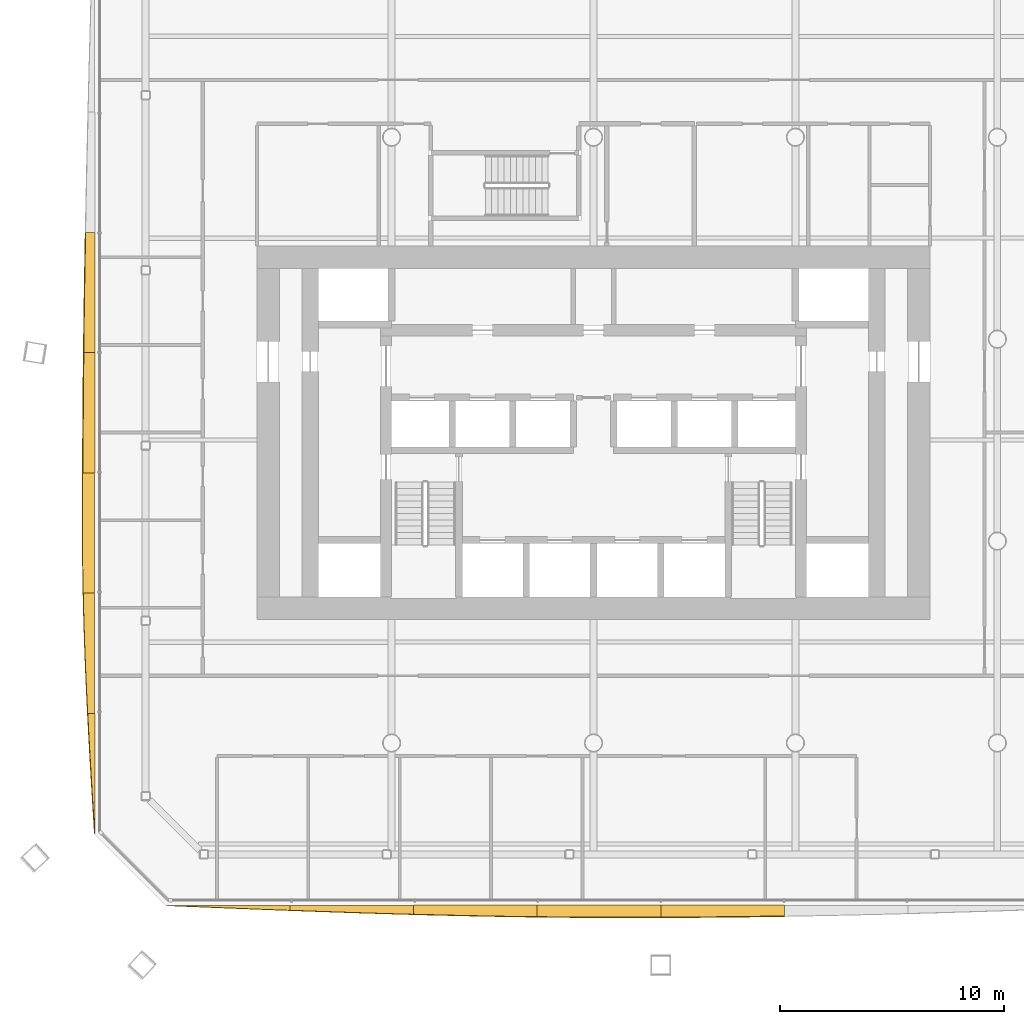
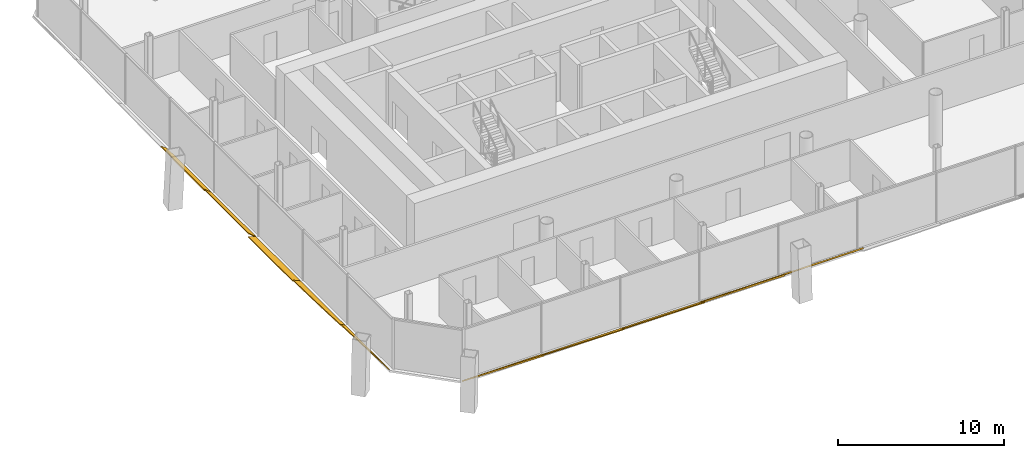
# One storey, part 15 of 19: 10 shading devices.
"""IFC4 building model written with IfcOpenShell, lengths in metres."""

from ifc_helpers import new_model, si_unit, direction, frame, origin, place, context, subcontext, project, spatial, polyline, outline, extrude, material, layer, layer_set, type_object, element, save


model = new_model("IFC4")

# Units and contexts
model_context = context("Model", 3, precision=1e-05, world=origin(), true_north=direction((0.0, 1.0)))
body_context = subcontext(model_context, "Body", "Model", "MODEL_VIEW")
ifc_project = project(units=[si_unit("LENGTHUNIT", "METRE"), si_unit("AREAUNIT", "SQUARE_METRE"), si_unit("VOLUMEUNIT", "CUBIC_METRE"), si_unit("PLANEANGLEUNIT", "RADIAN"), si_unit("MASSUNIT", "GRAM", prefix="KILO")], contexts=[model_context])

# Site, building, storey
site_placement = place(None, origin())
site = spatial("IfcSite", under=ifc_project, at=site_placement, CompositionType="ELEMENT")
building_placement = place(site_placement, origin())
building = spatial("IfcBuilding", under=site, at=building_placement, Name="Tskaro Facet Tower", CompositionType="ELEMENT")
storey_placement = place(building_placement, frame((0.0, 0.0, 77.699951171875)))
storey = spatial("IfcBuildingStorey", under=building, at=storey_placement, Name="L18", CompositionType="ELEMENT", Elevation=77.699951171875)

# Shading devices
ifc_material = material(Name="Bronze anodised aluminium 6063-T6", Category="aluminium")
ifc_layer = layer(ifc_material, 0.06005859375, Name="Bronze anodised aluminium 6063-T6")
ifc_layer_set = layer_set([ifc_layer], Name="Bronze anodised aluminium 6063-T6")
shading_device_type = type_object("IfcShadingDeviceType", Name="Bronze sun blade (FN1)", PredefinedType="USERDEFINED", material=ifc_layer_set)
shading_device_1_placement = place(storey_placement, frame((-19.04296875, -25.240478515625, 0.056396484375), z_axis=(2.1521803e-05, 0.342386154997, 0.93955932245), x_axis=(0.999999999768, -7.368767e-06, -2.0221011e-05)))
element("IfcShadingDevice", 1, at=shading_device_1_placement, inside=storey, type_object=shading_device_type, Name="Fin blade south 1", ObjectType="FIN", PredefinedType="USERDEFINED", context=body_context, shape_type="SweptSolid", body=[
    extrude(outline(polyline([(0.0, 0.0), (5.510742186223745, 4.667780196636735e-21), (5.510742188754532, -0.23277906241827803), (4.821777345203473, -0.20497488576460723), (4.133056640478343, -0.17694132451067573), (3.444091794667992, -0.14813601908607046), (2.7553710926203396, -0.11901773869131277), (2.0664062481487284, -0.0896700736962944), (1.3776855456408004, -0.05978004913086293), (0.6887207025079285, -0.029890024565431467), (0.0, 0.0)])), origin(), (0.0, 0.0, -1.0), 0.06005859375),
])
shading_device_2_placement = place(storey_placement, frame((-13.5322265625, -25.235595703125, 0.054443359375), z_axis=(-3.795031e-06, 0.422581491103, 0.906324932551), x_axis=(0.999999999993, 1.60371e-06, 3.439531e-06)))
element("IfcShadingDevice", 2, at=shading_device_2_placement, inside=storey, type_object=shading_device_type, Name="Fin blade south 2", ObjectType="FIN", PredefinedType="USERDEFINED", context=body_context, shape_type="SweptSolid", body=[
    extrude(outline(polyline([(0.0, 0.0), (5.510742187460316, 0.0), (5.51074218768617, -0.44126281707361126), (4.821777344193606, -0.4197438937885795), (4.133056639981444, -0.397251650369029), (3.444091797101937, -0.3736530532720405), (2.7553710938943636, -0.3488598653050456), (2.066406249556926, -0.3231965265128839), (1.377685547019078, -0.29686937551425946), (0.6887207029031672, -0.2693476336456286), (1.9531602130633714e-10, -0.24138335030602256), (0.0, 0.0)])), origin(), (0.0, 0.0, -1.0), 0.06005859375),
])
shading_device_3_placement = place(storey_placement, frame((-8.021484375, -25.23095703125, 0.052001953125), z_axis=(9.656666e-06, 0.499944956634, 0.866057180701), x_axis=(0.999999999953, -4.827802e-06, -8.363225e-06)))
element("IfcShadingDevice", 3, at=shading_device_3_placement, inside=storey, type_object=shading_device_type, Name="Fin blade south 3", ObjectType="FIN", PredefinedType="USERDEFINED", context=body_context, shape_type="SweptSolid", body=[
    extrude(outline(polyline([(0.0, 0.0), (5.510742187243058, 0.0), (5.510742187453527, -0.5914114520767735), (4.82177734268748, -0.5804800509304462), (4.13305664082032, -0.568003223580424), (3.4440917973816068, -0.5538915871594992), (2.7553710947999774, -0.5383565814090634), (2.066406250646794, -0.5211867665877249), (1.3776855453088923, -0.5027156393110594), (0.6887207027985648, -0.48291052557209113), (-8.964809149918873e-10, -0.46180409937779576), (0.0, 0.0)])), origin(), (0.0, 0.0, -1.0), 0.06005859375),
])
shading_device_4_placement = place(storey_placement, frame((-2.5107421875, -25.2265625, 0.04931640625), z_axis=(-1.0268409e-05, 0.573482027841, 0.819218141668), x_axis=(0.999999999947, 5.888748e-06, 8.412067e-06)))
element("IfcShadingDevice", 4, at=shading_device_4_placement, inside=storey, type_object=shading_device_type, Name="Fin blade south 4", ObjectType="FIN", PredefinedType="USERDEFINED", context=body_context, shape_type="SweptSolid", body=[
    extrude(outline(polyline([(0.0, 0.0), (5.510742187209473, 4.667780196636735e-21), (5.510742187047718, -0.655625545577702), (4.821777342922854, -0.6573856131953172), (4.188232422313344, -0.6580656425749961), (4.133056641066252, -0.6580656425749961), (3.444091795504441, -0.6570455985054777), (2.7553710944702123, -0.6542054926499262), (2.0664062497307745, -0.6496653133451774), (1.377685547465192, -0.6431650619936847), (0.6887207035481268, -0.6351047474537055), (-1.3864920049765515e-09, -0.6251443550354002), (0.0, 0.0)])), origin(), (0.0, 0.0, -1.0), 0.06005859375),
])
shading_device_5_placement = place(storey_placement, frame((3.0, -25.222412109375, 0.0458984375), z_axis=(-8.82335e-06, 0.642900913598, 0.765949355517), x_axis=(0.999999999961, 5.672539e-06, 6.758239e-06)))
element("IfcShadingDevice", 5, at=shading_device_5_placement, inside=storey, type_object=shading_device_type, Name="Fin blade south 5", ObjectType="FIN", PredefinedType="USERDEFINED", context=body_context, shape_type="SweptSolid", body=[
    extrude(outline(polyline([(0.0, 0.0), (5.51074218728549, 0.0), (5.510742187158335, -0.6307793437878708), (4.822021484173206, -0.6448147699226644), (4.133056640622668, -0.6569434087768437), (3.4443359369019286, -0.6680401748752831), (2.7553710928808433, -0.677574111278355), (2.066650391459354, -0.685702176216924), (1.3776855467026594, -0.6922974525836417), (0.6889648445455606, -0.6974868574858567), (-9.467428924675884e-10, -0.7011434738162203), (0.0, 0.0)])), origin(), (0.0, 0.0, -1.0), 0.06005859375),
])
shading_device_6_placement = place(storey_placement, frame((-22.2265625, 4.763916015625, 0.04931640625), z_axis=(0.573408883152, 2.831791e-06, 0.819269340763), x_axis=(1.623774e-06, -0.999999999996, 2.32e-06)))
element("IfcShadingDevice", 6, at=shading_device_6_placement, inside=storey, type_object=shading_device_type, Name="Fin blade west 4", ObjectType="FIN", PredefinedType="USERDEFINED", context=body_context, shape_type="SweptSolid", body=[
    extrude(outline(polyline([(0.0, 0.0), (5.361328124978504, -1.1353053907290305e-21), (5.361328125089746, -0.6019834543770063), (4.6911621095222555, -0.5921630704517528), (4.020996093444836, -0.5813226585304636), (3.3508300779902966, -0.5697422034193664), (2.680664062195804, -0.5574817296442455), (2.0104980470241927, -0.5444812126793166), (1.340332031512628, -0.5308006770503639), (0.670166015661109, -0.5164401227573876), (3.60424748306639e-11, -0.5015395422035013), (0.0, 0.0)])), origin(), (0.0, 0.0, -1.0), 0.06005859375),
])
shading_device_7_placement = place(storey_placement, frame((-22.222412109375, -0.597412109375, 0.0458984375), z_axis=(0.642874797311, -2.6571098e-05, 0.765971275098), x_axis=(-1.7081889e-05, -0.999999999647, -2.0352698e-05)))
element("IfcShadingDevice", 7, at=shading_device_7_placement, inside=storey, type_object=shading_device_type, Name="Fin blade west 5", ObjectType="FIN", PredefinedType="USERDEFINED", context=body_context, shape_type="SweptSolid", body=[
    extrude(outline(polyline([(0.0, 0.0), (5.3615722637323024, 0.0), (5.361572268166077, -0.6982048198751009), (4.69140624745334, -0.6945481967104841), (4.021240233306597, -0.690046708569463), (3.350830076760169, -0.6843263460402362), (2.680664061637192, -0.6782620269502411), (2.010498044739444, -0.6709788334720405), (1.340332030237307, -0.6626637703115348), (0.6701660173322449, -0.6536607940294925), (-3.1150460796623567e-09, -0.6439398517748807), (0.0, 0.0)])), origin(), (0.0, 0.0, -1.0), 0.06005859375),
])
shading_device_8_placement = place(storey_placement, frame((-22.240478515625, -5.958984375, 0.056396484375), z_axis=(0.342092559387, 8.152906e-06, 0.9396662603), x_axis=(2.789048e-06, -0.999999999967, 7.66101e-06)))
element("IfcShadingDevice", 8, at=shading_device_8_placement, inside=storey, type_object=shading_device_type, Name="Fin blade west 6", ObjectType="FIN", PredefinedType="USERDEFINED", context=body_context, shape_type="SweptSolid", body=[
    extrude(outline(polyline([(0.0, 0.0), (5.361328124821817, 0.0), (5.361328125054557, -0.5401685113995417), (4.691162108391459, -0.5533717939547289), (4.020996093098866, -0.5632586625397269), (3.3508300784958567, -0.5700585278626241), (2.680664061522625, -0.5733749418328135), (2.3588867189727627, -0.5736878712321614), (2.0104980471093414, -0.5736878712321614), (1.3403320316790106, -0.5729161204166363), (0.6701660164210759, -0.5713726187855859), (-5.348266326888796e-10, -0.568973847647751), (0.0, 0.0)])), origin(), (0.0, 0.0, -1.0), 0.06005859375),
])
shading_device_9_placement = place(storey_placement, frame((-22.235595703125, -11.3203125, 0.054443359375), z_axis=(0.422557276068, 6.801871e-06, 0.906336222599), x_axis=(2.87418e-06, -0.999999999977, 6.164782e-06)))
element("IfcShadingDevice", 9, at=shading_device_9_placement, inside=storey, type_object=shading_device_type, Name="Fin blade west 7", ObjectType="FIN", PredefinedType="USERDEFINED", context=body_context, shape_type="SweptSolid", body=[
    extrude(outline(polyline([(0.0, 0.0), (5.361328124875978, 0.0), (5.361328124817068, -0.342635776339651), (4.691162109998864, -0.37878571828887636), (4.020996094072295, -0.41297409220522735), (3.350830077637397, -0.44443391421567197), (2.6806640614975423, -0.47348962120954086), (2.0104980470561378, -0.49969866620313264), (1.340332031303036, -0.5228547224014874), (0.6701660157433106, -0.5430609532020853), (-4.264076340463016e-10, -0.5599929217155954), (0.0, 0.0)])), origin(), (0.0, 0.0, -1.0), 0.06005859375),
])
shading_device_10_placement = place(storey_placement, frame((-22.23095703125, -16.681640625, 0.052001953125), z_axis=(0.499917580151, 9.373348e-06, 0.866072983627), x_axis=(4.685901e-06, -0.999999999956, 8.118003e-06)))
element("IfcShadingDevice", 10, at=shading_device_10_placement, inside=storey, type_object=shading_device_type, Name="Fin blade west 8", ObjectType="FIN", PredefinedType="USERDEFINED", context=body_context, shape_type="SweptSolid", body=[
    extrude(outline(polyline([(0.0, 0.0), (5.361328124764478, 0.0), (4.691162110059298, -0.04769488698640081), (4.020996093372184, -0.0952677237823297), (3.3508300781351914, -0.14208417958920408), (2.6806640623663864, -0.18802220421655202), (2.0104980472097895, -0.23287035406484602), (1.3403320306834636, -0.27650657894361413), (0.6701660150754483, -0.3185079916538013), (-4.5217241645303767e-10, -0.35854109840540804), (0.0, 0.0)])), origin(), (0.0, 0.0, -1.0), 0.06005859375),
])

save(model, "model.ifc")
